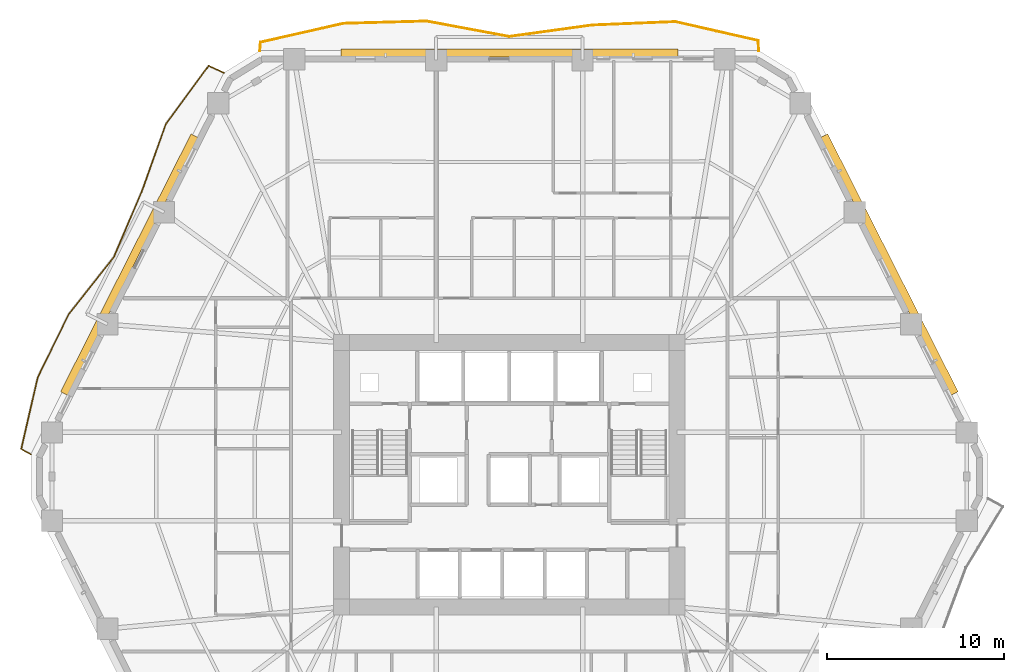
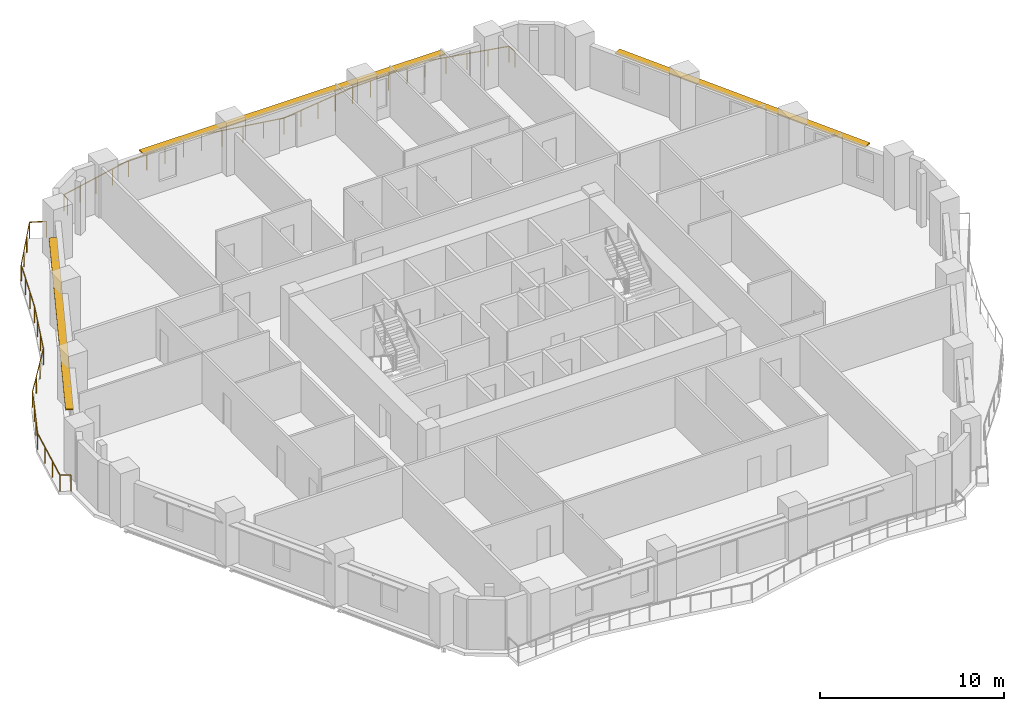
# One storey, part 13 of 13: 3 shading devices, 2 railings.
"""IFC4 building model written with IfcOpenShell, lengths in metres."""

from ifc_helpers import new_model, si_unit, direction, frame, origin, origin_2d, place, context, subcontext, project, spatial, rectangle, extrude, material, layer, layer_set, type_object, element, save


model = new_model("IFC4")

# Units and contexts
model_context = context("Model", 3, precision=1e-05, world=origin(), true_north=direction((0.0, 1.0)))
body_context = subcontext(model_context, "Body", "Model", "MODEL_VIEW")
ifc_project = project(units=[si_unit("LENGTHUNIT", "METRE"), si_unit("AREAUNIT", "SQUARE_METRE"), si_unit("VOLUMEUNIT", "CUBIC_METRE"), si_unit("PLANEANGLEUNIT", "RADIAN"), si_unit("MASSUNIT", "GRAM", prefix="KILO")], contexts=[model_context])

# Site, building, storey
site_placement = place(None, origin())
site = spatial("IfcSite", under=ifc_project, at=site_placement, CompositionType="ELEMENT")
building_placement = place(site_placement, origin())
building = spatial("IfcBuilding", under=site, at=building_placement, Name="Cinnabar Lancet Tower", CompositionType="ELEMENT")
storey_placement = place(building_placement, frame((0.0, 0.0, 49.75)))
storey = spatial("IfcBuildingStorey", under=building, at=storey_placement, Name="L12", CompositionType="ELEMENT", Elevation=49.75)

# Railings
ifc_material_1 = material(Name="Laminated safety glass and bronze stainless steel balustrade", Category="steel")
railing_type = type_object("IfcRailingType", Name="ENV-RLG-BAL-1100", PredefinedType="BALUSTRADE", material=ifc_material_1)
railing_1_placement = place(storey_placement, frame((46.4560546875, 49.800048828125, 0.0)))
element("IfcRailing", 1, at=railing_1_placement, inside=storey, type_object=railing_type, Name="L12 Face 4 Wave Balcony Balustrade", PredefinedType="BALUSTRADE", context=body_context, shape_type="SweptSolid", body=[
    extrude(rectangle(XDim=0.048095703125, YDim=0.048095703125, at=origin_2d()), frame((0.0, 0.0, 1.076171875), z_axis=(-0.062324395536, 0.998055945186, 0.0), x_axis=(-0.998055945186, -0.062324395536, 0.0)), (0.0, 0.0, 1.0), 0.56396484375),
    extrude(rectangle(XDim=0.048095703125, YDim=0.048095703125, at=origin_2d()), frame((-0.03515625, 0.56298828125, 1.076171875), z_axis=(-0.97509882095, 0.22177080372, 0.0), x_axis=(-0.22177080372, -0.97509882095, 0.0)), (0.0, 0.0, 1.0), 4.793212890625),
    extrude(rectangle(XDim=0.048095703125, YDim=0.048095703125, at=origin_2d()), frame((-4.708984375, 1.6259765625, 1.076171875), z_axis=(-0.99916718504, -0.040803631453, 0.0), x_axis=(0.040803631453, -0.99916718504, 0.0)), (0.0, 0.0, 1.0), 4.678955078125),
    extrude(rectangle(XDim=0.048095703125, YDim=0.048095703125, at=origin_2d()), frame((-9.384033203125, 1.43505859375, 1.076171875), z_axis=(-0.9906322401, -0.136556819218, 0.0), x_axis=(0.136556819218, -0.9906322401, 0.0)), (0.0, 0.0, 1.0), 4.71630859375),
    extrude(rectangle(XDim=0.048095703125, YDim=0.048095703125, at=origin_2d()), frame((-14.05615234375, 0.791015625, 1.076171875), z_axis=(-0.983251666252, 0.182253013179, 0.0), x_axis=(-0.182253013179, -0.983251666252, 0.0)), (0.0, 0.0, 1.0), 4.75146484375),
    extrude(rectangle(XDim=0.048095703125, YDim=0.048095703125, at=origin_2d()), frame((-18.72802734375, 1.656982421875, 1.076171875), z_axis=(-0.999625806222, -0.027354113659, 0.0), x_axis=(0.027354113659, -0.999625806222, 0.0)), (0.0, 0.0, 1.0), 4.6767578125),
    extrude(rectangle(XDim=0.048095703125, YDim=0.048095703125, at=origin_2d()), frame((-23.403076171875, 1.529052734375, 1.076171875), z_axis=(-0.975233333014, -0.221178539146, 0.0), x_axis=(0.221178539146, -0.975233333014, 0.0)), (0.0, 0.0, 1.0), 4.792724609375),
    extrude(rectangle(XDim=0.048095703125, YDim=0.048095703125, at=origin_2d()), frame((-28.0771484375, 0.468994140625, 1.076171875), z_axis=(-0.074234997893, -0.997240775885, 0.0), x_axis=(0.997240775885, -0.074234997893, 0.0)), (0.0, 0.0, 1.0), 0.47021484375),
    extrude(rectangle(XDim=0.0419921875, YDim=0.0419921875, at=origin_2d()), origin(), (0.0, 0.0, 1.0), 1.052001953125),
    extrude(rectangle(XDim=0.0419921875, YDim=0.0419921875, at=origin_2d()), frame((-0.03515625, 0.56298828125, 0.0)), (0.0, 0.0, 1.0), 1.052001953125),
    extrude(rectangle(XDim=0.0419921875, YDim=0.0419921875, at=origin_2d()), frame((-1.20361328125, 0.82861328125, 0.0)), (0.0, 0.0, 1.0), 1.052001953125),
    extrude(rectangle(XDim=0.0419921875, YDim=0.0419921875, at=origin_2d()), frame((-2.3720703125, 1.094482421875, 0.0)), (0.0, 0.0, 1.0), 1.052001953125),
    extrude(rectangle(XDim=0.0419921875, YDim=0.0419921875, at=origin_2d()), frame((-3.54052734375, 1.3603515625, 0.0)), (0.0, 0.0, 1.0), 1.052001953125),
    extrude(rectangle(XDim=0.0419921875, YDim=0.0419921875, at=origin_2d()), frame((-4.708984375, 1.6259765625, 0.0)), (0.0, 0.0, 1.0), 1.052001953125),
    extrude(rectangle(XDim=0.0419921875, YDim=0.0419921875, at=origin_2d()), frame((-5.877685546875, 1.578125, 0.0)), (0.0, 0.0, 1.0), 1.052001953125),
    extrude(rectangle(XDim=0.0419921875, YDim=0.0419921875, at=origin_2d()), frame((-7.04638671875, 1.530517578125, 0.0)), (0.0, 0.0, 1.0), 1.052001953125),
    extrude(rectangle(XDim=0.0419921875, YDim=0.0419921875, at=origin_2d()), frame((-8.21533203125, 1.48291015625, 0.0)), (0.0, 0.0, 1.0), 1.052001953125),
    extrude(rectangle(XDim=0.0419921875, YDim=0.0419921875, at=origin_2d()), frame((-9.384033203125, 1.43505859375, 0.0)), (0.0, 0.0, 1.0), 1.052001953125),
    extrude(rectangle(XDim=0.0419921875, YDim=0.0419921875, at=origin_2d()), frame((-10.552001953125, 1.27392578125, 0.0)), (0.0, 0.0, 1.0), 1.052001953125),
    extrude(rectangle(XDim=0.0419921875, YDim=0.0419921875, at=origin_2d()), frame((-11.72021484375, 1.113037109375, 0.0)), (0.0, 0.0, 1.0), 1.052001953125),
    extrude(rectangle(XDim=0.0419921875, YDim=0.0419921875, at=origin_2d()), frame((-12.88818359375, 0.9521484375, 0.0)), (0.0, 0.0, 1.0), 1.052001953125),
    extrude(rectangle(XDim=0.0419921875, YDim=0.0419921875, at=origin_2d()), frame((-14.05615234375, 0.791015625, 0.0)), (0.0, 0.0, 1.0), 1.052001953125),
    extrude(rectangle(XDim=0.0419921875, YDim=0.0419921875, at=origin_2d()), frame((-15.22412109375, 1.007568359375, 0.0)), (0.0, 0.0, 1.0), 1.052001953125),
    extrude(rectangle(XDim=0.0419921875, YDim=0.0419921875, at=origin_2d()), frame((-16.39208984375, 1.22412109375, 0.0)), (0.0, 0.0, 1.0), 1.052001953125),
    extrude(rectangle(XDim=0.0419921875, YDim=0.0419921875, at=origin_2d()), frame((-17.56005859375, 1.4404296875, 0.0)), (0.0, 0.0, 1.0), 1.052001953125),
    extrude(rectangle(XDim=0.0419921875, YDim=0.0419921875, at=origin_2d()), frame((-18.72802734375, 1.656982421875, 0.0)), (0.0, 0.0, 1.0), 1.052001953125),
    extrude(rectangle(XDim=0.0419921875, YDim=0.0419921875, at=origin_2d()), frame((-19.896728515625, 1.625, 0.0)), (0.0, 0.0, 1.0), 1.052001953125),
    extrude(rectangle(XDim=0.0419921875, YDim=0.0419921875, at=origin_2d()), frame((-21.0654296875, 1.593017578125, 0.0)), (0.0, 0.0, 1.0), 1.052001953125),
    extrude(rectangle(XDim=0.0419921875, YDim=0.0419921875, at=origin_2d()), frame((-22.234375, 1.56103515625, 0.0)), (0.0, 0.0, 1.0), 1.052001953125),
    extrude(rectangle(XDim=0.0419921875, YDim=0.0419921875, at=origin_2d()), frame((-23.403076171875, 1.529052734375, 0.0)), (0.0, 0.0, 1.0), 1.052001953125),
    extrude(rectangle(XDim=0.0419921875, YDim=0.0419921875, at=origin_2d()), frame((-24.571533203125, 1.26416015625, 0.0)), (0.0, 0.0, 1.0), 1.052001953125),
    extrude(rectangle(XDim=0.0419921875, YDim=0.0419921875, at=origin_2d()), frame((-25.740234375, 0.9990234375, 0.0)), (0.0, 0.0, 1.0), 1.052001953125),
    extrude(rectangle(XDim=0.0419921875, YDim=0.0419921875, at=origin_2d()), frame((-26.90869140625, 0.73388671875, 0.0)), (0.0, 0.0, 1.0), 1.052001953125),
    extrude(rectangle(XDim=0.0419921875, YDim=0.0419921875, at=origin_2d()), frame((-28.0771484375, 0.468994140625, 0.0)), (0.0, 0.0, 1.0), 1.052001953125),
    extrude(rectangle(XDim=0.0419921875, YDim=0.0419921875, at=origin_2d()), frame((-28.112060546875, 0.0, 0.0)), (0.0, 0.0, 1.0), 1.052001953125),
])
railing_2_placement = place(storey_placement, frame((16.31201171875, 48.551025390625, 0.0)))
element("IfcRailing", 2, at=railing_2_placement, inside=storey, type_object=railing_type, Name="L12 Face 5 Wave Balcony Balustrade", PredefinedType="BALUSTRADE", context=body_context, shape_type="SweptSolid", body=[
    extrude(rectangle(XDim=0.048095703125, YDim=0.048095703125, at=origin_2d()), frame((0.0, 0.0, 1.076171875), z_axis=(-0.906845851443, 0.421462455885, 0.0), x_axis=(-0.421462455885, -0.906845851443, 0.0)), (0.0, 0.0, 1.0), 0.939697265625),
    extrude(rectangle(XDim=0.048095703125, YDim=0.048095703125, at=origin_2d()), frame((-0.85205078125, 0.39599609375, 1.076171875), z_axis=(-0.593037126286, -0.80517511564, 0.0), x_axis=(0.80517511564, -0.593037126286, 0.0)), (0.0, 0.0, 1.0), 4.063720703125),
    extrude(rectangle(XDim=0.048095703125, YDim=0.048095703125, at=origin_2d()), frame((-3.261962890625, -2.8759765625, 1.076171875), z_axis=(-0.33624832823, -0.941773360083, 0.0), x_axis=(0.941773360083, -0.33624832823, 0.0)), (0.0, 0.0, 1.0), 4.0390625),
    extrude(rectangle(XDim=0.048095703125, YDim=0.048095703125, at=origin_2d()), frame((-4.6201171875, -6.679931640625, 1.076171875), z_axis=(-0.392362530461, -0.919810656978, 0.0), x_axis=(0.919810656978, -0.392362530461, 0.0)), (0.0, 0.0, 1.0), 4.013916015625),
    extrude(rectangle(XDim=0.048095703125, YDim=0.048095703125, at=origin_2d()), frame((-6.195068359375, -10.3720703125, 1.076171875), z_axis=(-0.619398234651, -0.785076956044, 0.0), x_axis=(0.785076956044, -0.619398234651, 0.0)), (0.0, 0.0, 1.0), 4.086181640625),
    extrude(rectangle(XDim=0.048095703125, YDim=0.048095703125, at=origin_2d()), frame((-8.72607421875, -13.580078125, 1.076171875), z_axis=(-0.440301725218, -0.897849870953, 0.0), x_axis=(0.897849870953, -0.440301725218, 0.0)), (0.0, 0.0, 1.0), 4.006103515625),
    extrude(rectangle(XDim=0.048095703125, YDim=0.048095703125, at=origin_2d()), frame((-10.489990234375, -17.177001953125, 1.076171875), z_axis=(-0.224371291445, -0.974503731945, 0.0), x_axis=(0.974503731945, -0.224371291445, 0.0)), (0.0, 0.0, 1.0), 4.127197265625),
    extrude(rectangle(XDim=0.048095703125, YDim=0.048095703125, at=origin_2d()), frame((-11.416015625, -21.198974609375, 1.076171875), z_axis=(0.870503742437, -0.492161796977, 0.0), x_axis=(0.492161796977, 0.870503742437, 0.0)), (0.0, 0.0, 1.0), 0.61572265625),
    extrude(rectangle(XDim=0.0419921875, YDim=0.0419921875, at=origin_2d()), origin(), (0.0, 0.0, 1.0), 1.052001953125),
    extrude(rectangle(XDim=0.0419921875, YDim=0.0419921875, at=origin_2d()), frame((-0.85205078125, 0.39599609375, 0.0)), (0.0, 0.0, 1.0), 1.052001953125),
    extrude(rectangle(XDim=0.0419921875, YDim=0.0419921875, at=origin_2d()), frame((-1.6552734375, -0.694580078125, 0.0)), (0.0, 0.0, 1.0), 1.052001953125),
    extrude(rectangle(XDim=0.0419921875, YDim=0.0419921875, at=origin_2d()), frame((-2.458740234375, -1.785400390625, 0.0)), (0.0, 0.0, 1.0), 1.052001953125),
    extrude(rectangle(XDim=0.0419921875, YDim=0.0419921875, at=origin_2d()), frame((-3.261962890625, -2.8759765625, 0.0)), (0.0, 0.0, 1.0), 1.052001953125),
    extrude(rectangle(XDim=0.0419921875, YDim=0.0419921875, at=origin_2d()), frame((-3.714599609375, -4.14404296875, 0.0)), (0.0, 0.0, 1.0), 1.052001953125),
    extrude(rectangle(XDim=0.0419921875, YDim=0.0419921875, at=origin_2d()), frame((-4.16748046875, -5.411865234375, 0.0)), (0.0, 0.0, 1.0), 1.052001953125),
    extrude(rectangle(XDim=0.0419921875, YDim=0.0419921875, at=origin_2d()), frame((-4.6201171875, -6.679931640625, 0.0)), (0.0, 0.0, 1.0), 1.052001953125),
    extrude(rectangle(XDim=0.0419921875, YDim=0.0419921875, at=origin_2d()), frame((-5.14501953125, -7.91064453125, 0.0)), (0.0, 0.0, 1.0), 1.052001953125),
    extrude(rectangle(XDim=0.0419921875, YDim=0.0419921875, at=origin_2d()), frame((-5.670166015625, -9.141357421875, 0.0)), (0.0, 0.0, 1.0), 1.052001953125),
    extrude(rectangle(XDim=0.0419921875, YDim=0.0419921875, at=origin_2d()), frame((-6.195068359375, -10.3720703125, 0.0)), (0.0, 0.0, 1.0), 1.052001953125),
    extrude(rectangle(XDim=0.0419921875, YDim=0.0419921875, at=origin_2d()), frame((-7.038818359375, -11.44140625, 0.0)), (0.0, 0.0, 1.0), 1.052001953125),
    extrude(rectangle(XDim=0.0419921875, YDim=0.0419921875, at=origin_2d()), frame((-7.88232421875, -12.5107421875, 0.0)), (0.0, 0.0, 1.0), 1.052001953125),
    extrude(rectangle(XDim=0.0419921875, YDim=0.0419921875, at=origin_2d()), frame((-8.72607421875, -13.580078125, 0.0)), (0.0, 0.0, 1.0), 1.052001953125),
    extrude(rectangle(XDim=0.0419921875, YDim=0.0419921875, at=origin_2d()), frame((-9.31396484375, -14.779052734375, 0.0)), (0.0, 0.0, 1.0), 1.052001953125),
    extrude(rectangle(XDim=0.0419921875, YDim=0.0419921875, at=origin_2d()), frame((-9.902099609375, -15.97802734375, 0.0)), (0.0, 0.0, 1.0), 1.052001953125),
    extrude(rectangle(XDim=0.0419921875, YDim=0.0419921875, at=origin_2d()), frame((-10.489990234375, -17.177001953125, 0.0)), (0.0, 0.0, 1.0), 1.052001953125),
    extrude(rectangle(XDim=0.0419921875, YDim=0.0419921875, at=origin_2d()), frame((-10.798583984375, -18.517578125, 0.0)), (0.0, 0.0, 1.0), 1.052001953125),
    extrude(rectangle(XDim=0.0419921875, YDim=0.0419921875, at=origin_2d()), frame((-11.107421875, -19.8583984375, 0.0)), (0.0, 0.0, 1.0), 1.052001953125),
    extrude(rectangle(XDim=0.0419921875, YDim=0.0419921875, at=origin_2d()), frame((-11.416015625, -21.198974609375, 0.0)), (0.0, 0.0, 1.0), 1.052001953125),
    extrude(rectangle(XDim=0.0419921875, YDim=0.0419921875, at=origin_2d()), frame((-10.880126953125, -21.501953125, 0.0)), (0.0, 0.0, 1.0), 1.052001953125),
])

# Shading devices
ifc_material_2 = material(Name="Pale limestone architectural aluminium sunshade", Category="masonry")
ifc_layer = layer(ifc_material_2, 0.080078125)
ifc_layer_set = layer_set([ifc_layer], Name="Pale limestone architectural aluminium sunshade")
shading_device_type = type_object("IfcShadingDeviceType", Name="ENV-SHD-LVR-450", PredefinedType="JALOUSIE", material=ifc_layer_set)
shading_device_1_placement = place(storey_placement, frame((53.81005859375, 37.743896484375, 2.639892578125), z_axis=(0.0, 0.0, 1.0), x_axis=(-0.451500573218, 0.892270829056, 0.0)))
element("IfcShadingDevice", 3, at=shading_device_1_placement, inside=storey, type_object=shading_device_type, Name="L12 Face 3 Horizontal Sunshade Canopy", PredefinedType="JALOUSIE", context=body_context, shape_type="SweptSolid", body=[
    extrude(rectangle(XDim=16.279052734375, YDim=0.449951171875, at=origin_2d()), origin(), (0.0, 0.0, 1.0), 0.080078125),
])
shading_device_2_placement = place(storey_placement, frame((32.39990234375, 49.669921875, 2.639892578125), z_axis=(0.0, 0.0, 1.0), x_axis=(-1.0, 0.0, 0.0)))
element("IfcShadingDevice", 4, at=shading_device_2_placement, inside=storey, type_object=shading_device_type, Name="L12 Face 4 Horizontal Sunshade Canopy", PredefinedType="JALOUSIE", context=body_context, shape_type="SweptSolid", body=[
    extrude(rectangle(XDim=18.993896484375, YDim=0.449951171875, at=origin_2d()), origin(), (0.0, 0.0, 1.0), 0.080078125),
])
shading_device_3_placement = place(storey_placement, frame((10.989990234375, 37.743896484375, 2.639892578125), z_axis=(0.0, 0.0, 1.0), x_axis=(-0.451500573218, -0.892270829056, 0.0)))
element("IfcShadingDevice", 5, at=shading_device_3_placement, inside=storey, type_object=shading_device_type, Name="L12 Face 5 Horizontal Sunshade Canopy", PredefinedType="JALOUSIE", context=body_context, shape_type="SweptSolid", body=[
    extrude(rectangle(XDim=16.279052734375, YDim=0.449951171875, at=origin_2d()), origin(), (0.0, 0.0, 1.0), 0.080078125),
])

save(model, "model.ifc")
